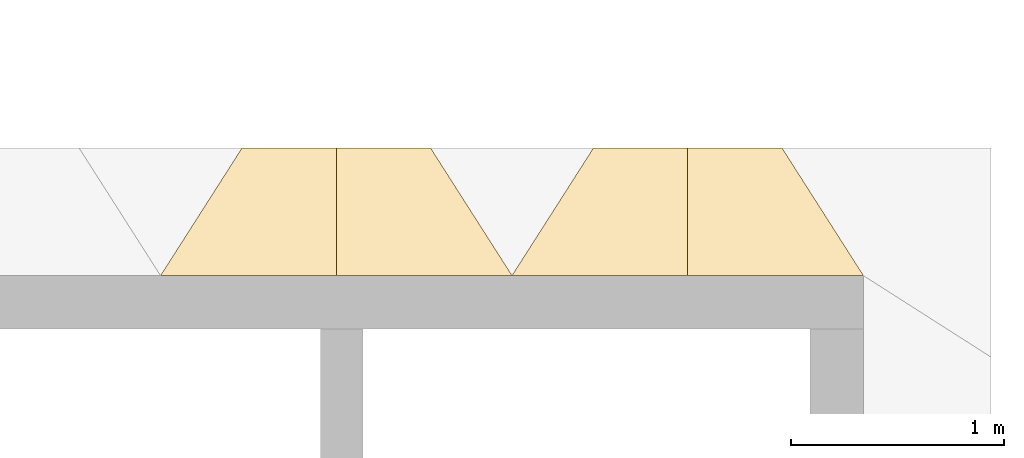
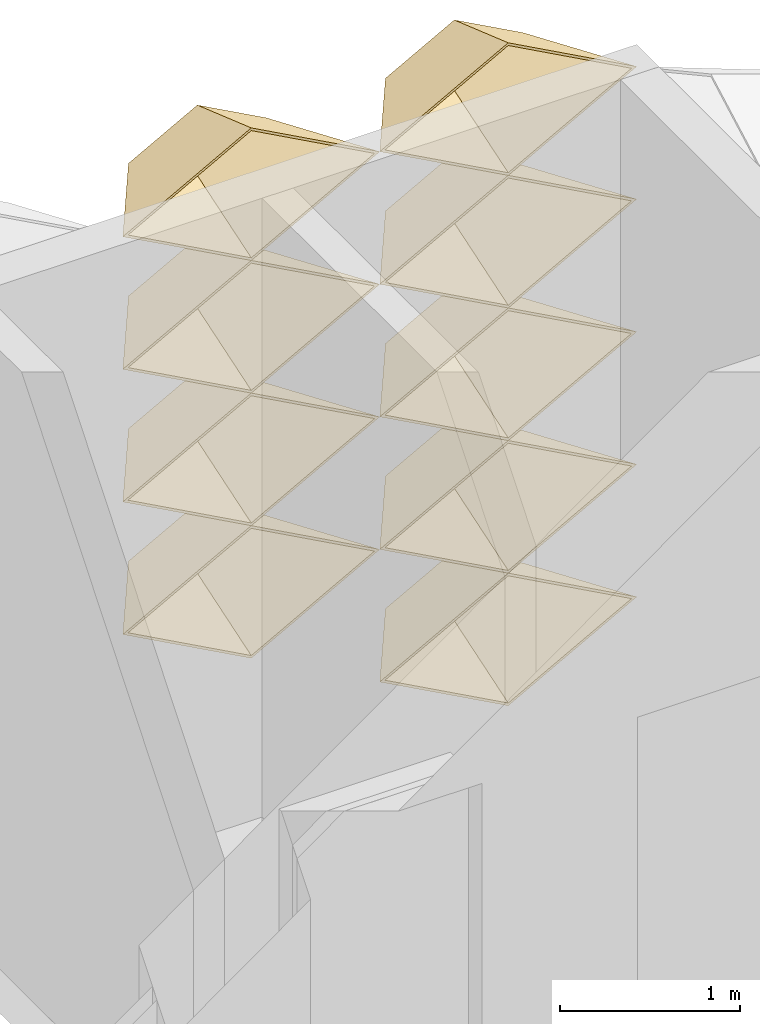
# One storey, part 28 of 29: 9 coverings.
"""IFC4 building model written with IfcOpenShell, lengths in metres."""

from ifc_helpers import new_model, entity, si_unit, direction, frame, origin, place, context, subcontext, project, spatial, material, layer, layer_set, type_object, element, save


model = new_model("IFC4")

# Units and contexts
model_context = context("Model", 3, precision=1e-05, world=origin(), true_north=direction((0.0, 1.0)))
body_context = subcontext(model_context, "Body", "Model", "MODEL_VIEW")
ifc_project = project(units=[si_unit("LENGTHUNIT", "METRE"), si_unit("AREAUNIT", "SQUARE_METRE"), si_unit("VOLUMEUNIT", "CUBIC_METRE"), si_unit("PLANEANGLEUNIT", "RADIAN"), si_unit("MASSUNIT", "GRAM", prefix="KILO")], contexts=[model_context])

# Site, building, storey
site_placement = place(None, origin())
site = spatial("IfcSite", under=ifc_project, at=site_placement, CompositionType="ELEMENT")
building_placement = place(site_placement, origin())
building = spatial("IfcBuilding", under=site, at=building_placement, Name="Lantern Court Research Institute", CompositionType="ELEMENT")
storey_placement = place(building_placement, frame((0.0, 0.0, 32.39990234375)))
storey = spatial("IfcBuildingStorey", under=building, at=storey_placement, Name="L07", CompositionType="ELEMENT", Elevation=32.39990234375)

# Coverings
ifc_material = material(Name="Anodised aluminium", Category="aluminium")
ifc_layer = layer(ifc_material, 0.01611328125)
ifc_layer_set = layer_set([ifc_layer], Name="Anodised aluminium")
covering_type = type_object("IfcCoveringType", Name="Fin cassette 1650 x 900 x 600 aluminium", PredefinedType="CLADDING", material=ifc_layer_set)
covering_1_placement = place(storey_placement, frame((78.375, 23.10009765625, 0.4501953125), z_axis=(0.0, 1.0, 0.0), x_axis=(-1.0, 0.0, 0.0)))
cartesian_point_1 = entity("IfcCartesianPoint", [0.824951171875, 0.0])
cartesian_point_2 = entity("IfcCartesianPoint", [0.79150390625, 0.0])
cartesian_point_3 = entity("IfcCartesianPoint", [0.44189453125, 0.0])
cartesian_point_4 = entity("IfcCartesianPoint", [0.43359375, 0.0])
element("IfcCovering", 1, at=covering_1_placement, inside=storey, type_object=covering_type, Name="Fin cassette V5N-L07 1.48", PredefinedType="CLADDING", context=body_context, shape_type="SweptSolid", body=[
    entity("IfcExtrudedAreaSolidTapered", entity("IfcArbitraryProfileDefWithVoids", "AREA", None, entity("IfcPolyline", [cartesian_point_1, entity("IfcCartesianPoint", [0.0, 0.449951171875]), entity("IfcCartesianPoint", [-0.824951171875, 0.0]), entity("IfcCartesianPoint", [0.0, -0.449951171875]), cartesian_point_1]), [entity("IfcPolyline", [cartesian_point_2, entity("IfcCartesianPoint", [0.0, 0.431884765625]), entity("IfcCartesianPoint", [-0.79150390625, 0.0]), entity("IfcCartesianPoint", [0.0, -0.431884765625]), cartesian_point_2])]), entity("IfcAxis2Placement3D", entity("IfcCartesianPoint", [0.0, 0.0, 0.0])), entity("IfcDirection", [0.0, 0.0, 1.0]), 0.60009765625, entity("IfcArbitraryProfileDefWithVoids", "AREA", None, entity("IfcPolyline", [cartesian_point_3, entity("IfcCartesianPoint", [0.0, 0.240966796875]), entity("IfcCartesianPoint", [-0.44189453125, 0.0]), entity("IfcCartesianPoint", [0.0, -0.240966796875]), cartesian_point_3]), [entity("IfcPolyline", [cartesian_point_4, entity("IfcCartesianPoint", [0.0, 0.236572265625]), entity("IfcCartesianPoint", [-0.43359375, 0.0]), entity("IfcCartesianPoint", [0.0, -0.236572265625]), cartesian_point_4])])),
])
covering_2_placement = place(storey_placement, frame((76.72509765625, 23.10009765625, 1.35009765625), z_axis=(0.0, 1.0, 0.0), x_axis=(-1.0, 0.0, 0.0)))
cartesian_point_5 = entity("IfcCartesianPoint", [0.824951171875, 0.0])
cartesian_point_6 = entity("IfcCartesianPoint", [0.79150390625, 0.0])
cartesian_point_7 = entity("IfcCartesianPoint", [0.44189453125, 0.0])
cartesian_point_8 = entity("IfcCartesianPoint", [0.43359375, 0.0])
element("IfcCovering", 2, at=covering_2_placement, inside=storey, type_object=covering_type, Name="Fin cassette V5N-L07 2.47", PredefinedType="CLADDING", context=body_context, shape_type="SweptSolid", body=[
    entity("IfcExtrudedAreaSolidTapered", entity("IfcArbitraryProfileDefWithVoids", "AREA", None, entity("IfcPolyline", [cartesian_point_5, entity("IfcCartesianPoint", [0.0, 0.449951171875]), entity("IfcCartesianPoint", [-0.824951171875, 0.0]), entity("IfcCartesianPoint", [0.0, -0.449951171875]), cartesian_point_5]), [entity("IfcPolyline", [cartesian_point_6, entity("IfcCartesianPoint", [0.0, 0.431884765625]), entity("IfcCartesianPoint", [-0.79150390625, 0.0]), entity("IfcCartesianPoint", [0.0, -0.431884765625]), cartesian_point_6])]), entity("IfcAxis2Placement3D", entity("IfcCartesianPoint", [0.0, 0.0, 0.0])), entity("IfcDirection", [0.0, 0.0, 1.0]), 0.60009765625, entity("IfcArbitraryProfileDefWithVoids", "AREA", None, entity("IfcPolyline", [cartesian_point_7, entity("IfcCartesianPoint", [0.0, 0.240966796875]), entity("IfcCartesianPoint", [-0.44189453125, 0.0]), entity("IfcCartesianPoint", [0.0, -0.240966796875]), cartesian_point_7]), [entity("IfcPolyline", [cartesian_point_8, entity("IfcCartesianPoint", [0.0, 0.236572265625]), entity("IfcCartesianPoint", [-0.43359375, 0.0]), entity("IfcCartesianPoint", [0.0, -0.236572265625]), cartesian_point_8])])),
])
covering_3_placement = place(storey_placement, frame((78.375, 23.10009765625, 1.35009765625), z_axis=(0.0, 1.0, 0.0), x_axis=(-1.0, 0.0, 0.0)))
cartesian_point_9 = entity("IfcCartesianPoint", [0.824951171875, 0.0])
cartesian_point_10 = entity("IfcCartesianPoint", [0.79150390625, 0.0])
cartesian_point_11 = entity("IfcCartesianPoint", [0.44189453125, 0.0])
cartesian_point_12 = entity("IfcCartesianPoint", [0.43359375, 0.0])
element("IfcCovering", 3, at=covering_3_placement, inside=storey, type_object=covering_type, Name="Fin cassette V5N-L07 2.48", PredefinedType="CLADDING", context=body_context, shape_type="SweptSolid", body=[
    entity("IfcExtrudedAreaSolidTapered", entity("IfcArbitraryProfileDefWithVoids", "AREA", None, entity("IfcPolyline", [cartesian_point_9, entity("IfcCartesianPoint", [0.0, 0.449951171875]), entity("IfcCartesianPoint", [-0.824951171875, 0.0]), entity("IfcCartesianPoint", [0.0, -0.449951171875]), cartesian_point_9]), [entity("IfcPolyline", [cartesian_point_10, entity("IfcCartesianPoint", [0.0, 0.431884765625]), entity("IfcCartesianPoint", [-0.79150390625, 0.0]), entity("IfcCartesianPoint", [0.0, -0.431884765625]), cartesian_point_10])]), entity("IfcAxis2Placement3D", entity("IfcCartesianPoint", [0.0, 0.0, 0.0])), entity("IfcDirection", [0.0, 0.0, 1.0]), 0.60009765625, entity("IfcArbitraryProfileDefWithVoids", "AREA", None, entity("IfcPolyline", [cartesian_point_11, entity("IfcCartesianPoint", [0.0, 0.240966796875]), entity("IfcCartesianPoint", [-0.44189453125, 0.0]), entity("IfcCartesianPoint", [0.0, -0.240966796875]), cartesian_point_11]), [entity("IfcPolyline", [cartesian_point_12, entity("IfcCartesianPoint", [0.0, 0.236572265625]), entity("IfcCartesianPoint", [-0.43359375, 0.0]), entity("IfcCartesianPoint", [0.0, -0.236572265625]), cartesian_point_12])])),
])
covering_4_placement = place(storey_placement, frame((76.72509765625, 23.10009765625, 2.25), z_axis=(0.0, 1.0, 0.0), x_axis=(-1.0, 0.0, 0.0)))
cartesian_point_13 = entity("IfcCartesianPoint", [0.824951171875, 0.0])
cartesian_point_14 = entity("IfcCartesianPoint", [0.79150390625, 0.0])
cartesian_point_15 = entity("IfcCartesianPoint", [0.44189453125, 0.0])
cartesian_point_16 = entity("IfcCartesianPoint", [0.43359375, 0.0])
element("IfcCovering", 4, at=covering_4_placement, inside=storey, type_object=covering_type, Name="Fin cassette V5N-L07 3.47", PredefinedType="CLADDING", context=body_context, shape_type="SweptSolid", body=[
    entity("IfcExtrudedAreaSolidTapered", entity("IfcArbitraryProfileDefWithVoids", "AREA", None, entity("IfcPolyline", [cartesian_point_13, entity("IfcCartesianPoint", [0.0, 0.449951171875]), entity("IfcCartesianPoint", [-0.824951171875, 0.0]), entity("IfcCartesianPoint", [0.0, -0.449951171875]), cartesian_point_13]), [entity("IfcPolyline", [cartesian_point_14, entity("IfcCartesianPoint", [0.0, 0.431884765625]), entity("IfcCartesianPoint", [-0.79150390625, 0.0]), entity("IfcCartesianPoint", [0.0, -0.431884765625]), cartesian_point_14])]), entity("IfcAxis2Placement3D", entity("IfcCartesianPoint", [0.0, 0.0, 0.0])), entity("IfcDirection", [0.0, 0.0, 1.0]), 0.60009765625, entity("IfcArbitraryProfileDefWithVoids", "AREA", None, entity("IfcPolyline", [cartesian_point_15, entity("IfcCartesianPoint", [0.0, 0.240966796875]), entity("IfcCartesianPoint", [-0.44189453125, 0.0]), entity("IfcCartesianPoint", [0.0, -0.240966796875]), cartesian_point_15]), [entity("IfcPolyline", [cartesian_point_16, entity("IfcCartesianPoint", [0.0, 0.236572265625]), entity("IfcCartesianPoint", [-0.43359375, 0.0]), entity("IfcCartesianPoint", [0.0, -0.236572265625]), cartesian_point_16])])),
])
covering_5_placement = place(storey_placement, frame((78.375, 23.10009765625, 2.25), z_axis=(0.0, 1.0, 0.0), x_axis=(-1.0, 0.0, 0.0)))
cartesian_point_17 = entity("IfcCartesianPoint", [0.824951171875, 0.0])
cartesian_point_18 = entity("IfcCartesianPoint", [0.79150390625, 0.0])
cartesian_point_19 = entity("IfcCartesianPoint", [0.44189453125, 0.0])
cartesian_point_20 = entity("IfcCartesianPoint", [0.43359375, 0.0])
element("IfcCovering", 5, at=covering_5_placement, inside=storey, type_object=covering_type, Name="Fin cassette V5N-L07 3.48", PredefinedType="CLADDING", context=body_context, shape_type="SweptSolid", body=[
    entity("IfcExtrudedAreaSolidTapered", entity("IfcArbitraryProfileDefWithVoids", "AREA", None, entity("IfcPolyline", [cartesian_point_17, entity("IfcCartesianPoint", [0.0, 0.449951171875]), entity("IfcCartesianPoint", [-0.824951171875, 0.0]), entity("IfcCartesianPoint", [0.0, -0.449951171875]), cartesian_point_17]), [entity("IfcPolyline", [cartesian_point_18, entity("IfcCartesianPoint", [0.0, 0.431884765625]), entity("IfcCartesianPoint", [-0.79150390625, 0.0]), entity("IfcCartesianPoint", [0.0, -0.431884765625]), cartesian_point_18])]), entity("IfcAxis2Placement3D", entity("IfcCartesianPoint", [0.0, 0.0, 0.0])), entity("IfcDirection", [0.0, 0.0, 1.0]), 0.60009765625, entity("IfcArbitraryProfileDefWithVoids", "AREA", None, entity("IfcPolyline", [cartesian_point_19, entity("IfcCartesianPoint", [0.0, 0.240966796875]), entity("IfcCartesianPoint", [-0.44189453125, 0.0]), entity("IfcCartesianPoint", [0.0, -0.240966796875]), cartesian_point_19]), [entity("IfcPolyline", [cartesian_point_20, entity("IfcCartesianPoint", [0.0, 0.236572265625]), entity("IfcCartesianPoint", [-0.43359375, 0.0]), entity("IfcCartesianPoint", [0.0, -0.236572265625]), cartesian_point_20])])),
])
covering_6_placement = place(storey_placement, frame((76.72509765625, 23.10009765625, 3.150146484375), z_axis=(0.0, 1.0, 0.0), x_axis=(-1.0, 0.0, 0.0)))
cartesian_point_21 = entity("IfcCartesianPoint", [0.824951171875, 0.0])
cartesian_point_22 = entity("IfcCartesianPoint", [0.79150390625, 0.0])
cartesian_point_23 = entity("IfcCartesianPoint", [0.44189453125, 0.0])
cartesian_point_24 = entity("IfcCartesianPoint", [0.43359375, 0.0])
element("IfcCovering", 6, at=covering_6_placement, inside=storey, type_object=covering_type, Name="Fin cassette V5N-L07 4.47", PredefinedType="CLADDING", context=body_context, shape_type="SweptSolid", body=[
    entity("IfcExtrudedAreaSolidTapered", entity("IfcArbitraryProfileDefWithVoids", "AREA", None, entity("IfcPolyline", [cartesian_point_21, entity("IfcCartesianPoint", [0.0, 0.449951171875]), entity("IfcCartesianPoint", [-0.824951171875, 0.0]), entity("IfcCartesianPoint", [0.0, -0.449951171875]), cartesian_point_21]), [entity("IfcPolyline", [cartesian_point_22, entity("IfcCartesianPoint", [0.0, 0.431884765625]), entity("IfcCartesianPoint", [-0.79150390625, 0.0]), entity("IfcCartesianPoint", [0.0, -0.431884765625]), cartesian_point_22])]), entity("IfcAxis2Placement3D", entity("IfcCartesianPoint", [0.0, 0.0, 0.0])), entity("IfcDirection", [0.0, 0.0, 1.0]), 0.60009765625, entity("IfcArbitraryProfileDefWithVoids", "AREA", None, entity("IfcPolyline", [cartesian_point_23, entity("IfcCartesianPoint", [0.0, 0.240966796875]), entity("IfcCartesianPoint", [-0.44189453125, 0.0]), entity("IfcCartesianPoint", [0.0, -0.240966796875]), cartesian_point_23]), [entity("IfcPolyline", [cartesian_point_24, entity("IfcCartesianPoint", [0.0, 0.236572265625]), entity("IfcCartesianPoint", [-0.43359375, 0.0]), entity("IfcCartesianPoint", [0.0, -0.236572265625]), cartesian_point_24])])),
])
covering_7_placement = place(storey_placement, frame((78.375, 23.10009765625, 3.150146484375), z_axis=(0.0, 1.0, 0.0), x_axis=(-1.0, 0.0, 0.0)))
cartesian_point_25 = entity("IfcCartesianPoint", [0.824951171875, 0.0])
cartesian_point_26 = entity("IfcCartesianPoint", [0.79150390625, 0.0])
cartesian_point_27 = entity("IfcCartesianPoint", [0.44189453125, 0.0])
cartesian_point_28 = entity("IfcCartesianPoint", [0.43359375, 0.0])
element("IfcCovering", 7, at=covering_7_placement, inside=storey, type_object=covering_type, Name="Fin cassette V5N-L07 4.48", PredefinedType="CLADDING", context=body_context, shape_type="SweptSolid", body=[
    entity("IfcExtrudedAreaSolidTapered", entity("IfcArbitraryProfileDefWithVoids", "AREA", None, entity("IfcPolyline", [cartesian_point_25, entity("IfcCartesianPoint", [0.0, 0.449951171875]), entity("IfcCartesianPoint", [-0.824951171875, 0.0]), entity("IfcCartesianPoint", [0.0, -0.449951171875]), cartesian_point_25]), [entity("IfcPolyline", [cartesian_point_26, entity("IfcCartesianPoint", [0.0, 0.431884765625]), entity("IfcCartesianPoint", [-0.79150390625, 0.0]), entity("IfcCartesianPoint", [0.0, -0.431884765625]), cartesian_point_26])]), entity("IfcAxis2Placement3D", entity("IfcCartesianPoint", [0.0, 0.0, 0.0])), entity("IfcDirection", [0.0, 0.0, 1.0]), 0.60009765625, entity("IfcArbitraryProfileDefWithVoids", "AREA", None, entity("IfcPolyline", [cartesian_point_27, entity("IfcCartesianPoint", [0.0, 0.240966796875]), entity("IfcCartesianPoint", [-0.44189453125, 0.0]), entity("IfcCartesianPoint", [0.0, -0.240966796875]), cartesian_point_27]), [entity("IfcPolyline", [cartesian_point_28, entity("IfcCartesianPoint", [0.0, 0.236572265625]), entity("IfcCartesianPoint", [-0.43359375, 0.0]), entity("IfcCartesianPoint", [0.0, -0.236572265625]), cartesian_point_28])])),
])
covering_8_placement = place(storey_placement, frame((76.72509765625, 23.10009765625, 4.050048828125), z_axis=(0.0, 1.0, 0.0), x_axis=(-1.0, 0.0, 0.0)))
cartesian_point_29 = entity("IfcCartesianPoint", [0.824951171875, 0.0])
cartesian_point_30 = entity("IfcCartesianPoint", [0.79150390625, 0.0])
cartesian_point_31 = entity("IfcCartesianPoint", [0.44189453125, 0.0])
cartesian_point_32 = entity("IfcCartesianPoint", [0.43359375, 0.0])
element("IfcCovering", 8, at=covering_8_placement, inside=storey, type_object=covering_type, Name="Fin cassette V5N-L07 5.47", PredefinedType="CLADDING", context=body_context, shape_type="SweptSolid", body=[
    entity("IfcExtrudedAreaSolidTapered", entity("IfcArbitraryProfileDefWithVoids", "AREA", None, entity("IfcPolyline", [cartesian_point_29, entity("IfcCartesianPoint", [0.0, 0.449951171875]), entity("IfcCartesianPoint", [-0.824951171875, 0.0]), entity("IfcCartesianPoint", [0.0, -0.449951171875]), cartesian_point_29]), [entity("IfcPolyline", [cartesian_point_30, entity("IfcCartesianPoint", [0.0, 0.431884765625]), entity("IfcCartesianPoint", [-0.79150390625, 0.0]), entity("IfcCartesianPoint", [0.0, -0.431884765625]), cartesian_point_30])]), entity("IfcAxis2Placement3D", entity("IfcCartesianPoint", [0.0, 0.0, 0.0])), entity("IfcDirection", [0.0, 0.0, 1.0]), 0.60009765625, entity("IfcArbitraryProfileDefWithVoids", "AREA", None, entity("IfcPolyline", [cartesian_point_31, entity("IfcCartesianPoint", [0.0, 0.240966796875]), entity("IfcCartesianPoint", [-0.44189453125, 0.0]), entity("IfcCartesianPoint", [0.0, -0.240966796875]), cartesian_point_31]), [entity("IfcPolyline", [cartesian_point_32, entity("IfcCartesianPoint", [0.0, 0.236572265625]), entity("IfcCartesianPoint", [-0.43359375, 0.0]), entity("IfcCartesianPoint", [0.0, -0.236572265625]), cartesian_point_32])])),
])
covering_9_placement = place(storey_placement, frame((78.375, 23.10009765625, 4.050048828125), z_axis=(0.0, 1.0, 0.0), x_axis=(-1.0, 0.0, 0.0)))
cartesian_point_33 = entity("IfcCartesianPoint", [0.824951171875, 0.0])
cartesian_point_34 = entity("IfcCartesianPoint", [0.79150390625, 0.0])
cartesian_point_35 = entity("IfcCartesianPoint", [0.44189453125, 0.0])
cartesian_point_36 = entity("IfcCartesianPoint", [0.43359375, 0.0])
element("IfcCovering", 9, at=covering_9_placement, inside=storey, type_object=covering_type, Name="Fin cassette V5N-L07 5.48", PredefinedType="CLADDING", context=body_context, shape_type="SweptSolid", body=[
    entity("IfcExtrudedAreaSolidTapered", entity("IfcArbitraryProfileDefWithVoids", "AREA", None, entity("IfcPolyline", [cartesian_point_33, entity("IfcCartesianPoint", [0.0, 0.449951171875]), entity("IfcCartesianPoint", [-0.824951171875, 0.0]), entity("IfcCartesianPoint", [0.0, -0.449951171875]), cartesian_point_33]), [entity("IfcPolyline", [cartesian_point_34, entity("IfcCartesianPoint", [0.0, 0.431884765625]), entity("IfcCartesianPoint", [-0.79150390625, 0.0]), entity("IfcCartesianPoint", [0.0, -0.431884765625]), cartesian_point_34])]), entity("IfcAxis2Placement3D", entity("IfcCartesianPoint", [0.0, 0.0, 0.0])), entity("IfcDirection", [0.0, 0.0, 1.0]), 0.60009765625, entity("IfcArbitraryProfileDefWithVoids", "AREA", None, entity("IfcPolyline", [cartesian_point_35, entity("IfcCartesianPoint", [0.0, 0.240966796875]), entity("IfcCartesianPoint", [-0.44189453125, 0.0]), entity("IfcCartesianPoint", [0.0, -0.240966796875]), cartesian_point_35]), [entity("IfcPolyline", [cartesian_point_36, entity("IfcCartesianPoint", [0.0, 0.236572265625]), entity("IfcCartesianPoint", [-0.43359375, 0.0]), entity("IfcCartesianPoint", [0.0, -0.236572265625]), cartesian_point_36])])),
])

save(model, "model.ifc")
